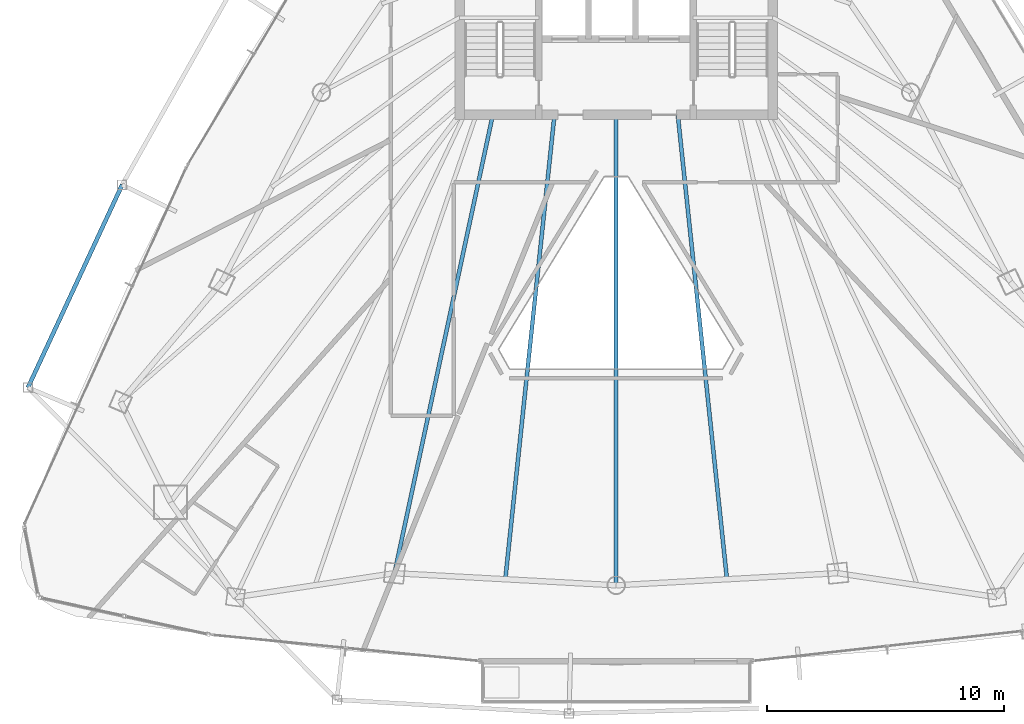
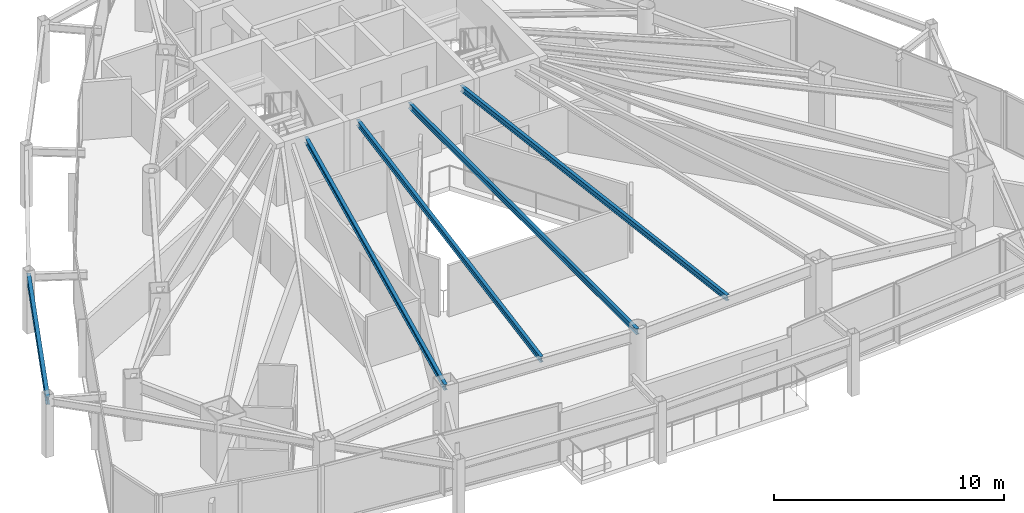
# One storey, part 9 of 31: 5 beams.
"""IFC4 building model written with IfcOpenShell, lengths in metres."""

import ifcopenshell
import ifcopenshell.guid

model = None  # the IFC model being written
_history = None  # IfcOwnerHistory: only IFC2X3 demands one
_inside = {}  # id of a spatial element -> (the spatial element, [elements in it])
_under = {}  # id of a project, library or spatial element -> (it, [spatial elements below it])
_declared = {}  # id of a project -> (the project, [libraries it declares])
_typed = {}  # id of a type object -> (the type object, [elements of that type])
_made_of = {}  # id of a material, layer set ... -> (it, [elements and type objects made of it])


def new_model(schema):
    """Start an empty IFC model of exactly this schema.

    Asked for "IFC4X3", IfcOpenShell would pick the latest addendum, in which some entities
    have other attributes; the version numbers below select the first issue.
    IFC2X3 requires an IfcOwnerHistory on every rooted entity: one is made here for all.
    """
    global model, _history
    if schema == "IFC4X3":
        model = ifcopenshell.file(schema_version=(4, 3, 0, 0))
    else:
        model = ifcopenshell.file(schema=schema)
    _inside.clear()
    _under.clear()
    _declared.clear()
    _typed.clear()
    _made_of.clear()
    _history = None
    if model.schema == "IFC2X3":
        org = make("IfcOrganization", Name="unknown")
        user = make(
            "IfcPersonAndOrganization",
            ThePerson=make("IfcPerson", FamilyName="unknown"),
            TheOrganization=org,
        )
        app = make(
            "IfcApplication",
            ApplicationDeveloper=org,
            Version="unknown",
            ApplicationFullName="unknown",
            ApplicationIdentifier="unknown",
        )
        _history = make(
            "IfcOwnerHistory",
            OwningUser=user,
            OwningApplication=app,
            ChangeAction="ADDED",
            CreationDate=0,
        )
    return model


def make(cls, **values):
    """One entity of the class cls with the attributes given. An attribute that is None is left unset."""
    return model.create_entity(
        cls, **{name: value for name, value in values.items() if value is not None}
    )


def rooted(cls, **values):
    """An entity with a GlobalId (a new one), such as an element, a storey or a relation."""
    return make(cls, GlobalId=ifcopenshell.guid.new(), OwnerHistory=_history, **values)


def si_unit(unit_type, name, prefix=None):
    """IfcSIUnit, for example si_unit("LENGTHUNIT", "METRE", prefix="MILLI")."""
    return make("IfcSIUnit", UnitType=unit_type, Prefix=prefix, Name=name)


def assignment(units):
    """IfcUnitAssignment: the units of a project."""
    return None if units is None else make("IfcUnitAssignment", Units=units)


def point(xyz):
    """IfcCartesianPoint."""
    return None if xyz is None else make("IfcCartesianPoint", Coordinates=xyz)


def direction(xyz):
    """IfcDirection."""
    return None if xyz is None else make("IfcDirection", DirectionRatios=xyz)


def frame(location, z_axis=None, x_axis=None):
    """IfcAxis2Placement3D, a coordinate frame: its origin and axes. An axis left out is left unset."""
    return make(
        "IfcAxis2Placement3D",
        Location=point(location),
        Axis=direction(z_axis),
        RefDirection=direction(x_axis),
    )


def frame_2d(location, x_axis=None):
    """IfcAxis2Placement2D, a coordinate frame in the plane: its origin and x axis."""
    return make(
        "IfcAxis2Placement2D", Location=point(location), RefDirection=direction(x_axis)
    )


def origin():
    """The frame at (0, 0, 0) with its axes left unset."""
    return frame((0.0, 0.0, 0.0))


def origin_2d():
    """The frame at (0, 0) in the plane with its x axis left unset."""
    return frame_2d((0.0, 0.0))


def place(relative_to, where):
    """IfcLocalPlacement: puts the frame where relative to a parent placement (None: the world)."""
    return make(
        "IfcLocalPlacement", PlacementRelTo=relative_to, RelativePlacement=where
    )


def context(
    kind, dimensions, precision=None, world=None, true_north=None, identifier=None
):
    """IfcGeometricRepresentationContext, for example the 3D "Model" context."""
    return make(
        "IfcGeometricRepresentationContext",
        ContextIdentifier=identifier,
        ContextType=kind,
        CoordinateSpaceDimension=dimensions,
        Precision=precision,
        WorldCoordinateSystem=world,
        TrueNorth=true_north,
    )


def subcontext(parent, identifier, kind, view, scale=None):
    """IfcGeometricRepresentationSubContext, for example "Body" below "Model"."""
    return make(
        "IfcGeometricRepresentationSubContext",
        ContextIdentifier=identifier,
        ContextType=kind,
        ParentContext=parent,
        TargetScale=scale,
        TargetView=view,
    )


def project(units=None, contexts=None):
    """IfcProject with its units and contexts."""
    return rooted(
        "IfcProject",
        Name="project",
        RepresentationContexts=contexts,
        UnitsInContext=assignment(units),
    )


def spatial(cls, under=None, at=None, **own):
    """A site, building, storey or space (cls), placed at a placement, below another one or the project."""
    s = rooted(cls, ObjectPlacement=at, **own)
    if under is not None:
        _under.setdefault(under.id(), (under, []))[1].append(s)
    return s


def profile(cls, at=None, kind="AREA", **sizes):
    """A parametric profile (cls). Its sizes go by their IFC names, for example OverallWidth=200.0."""
    return make(cls, ProfileType=kind, Position=at, **sizes)


def i_section(**sizes):
    """IfcIShapeProfileDef."""
    return profile("IfcIShapeProfileDef", **sizes)


def extrude(swept, where, along, depth):
    """IfcExtrudedAreaSolid: the profile swept, set in the frame where, extruded along a direction by depth."""
    return make(
        "IfcExtrudedAreaSolid",
        SweptArea=swept,
        Position=where,
        ExtrudedDirection=direction(along),
        Depth=depth,
    )


def shape(context_of_items, identifier, shape_type, items):
    """IfcShapeRepresentation: the items that make up one representation, for example the "Body"."""
    return make(
        "IfcShapeRepresentation",
        ContextOfItems=context_of_items,
        RepresentationIdentifier=identifier,
        RepresentationType=shape_type,
        Items=items,
    )


def material(Name=None, Category=None):
    """IfcMaterial."""
    return make("IfcMaterial", Name=Name, Category=Category)


def material_profile(
    of_material, cross_section, Name=None, Category=None, Priority=None
):
    """IfcMaterialProfile: a cross section and its material."""
    return make(
        "IfcMaterialProfile",
        Name=Name,
        Material=of_material,
        Profile=cross_section,
        Priority=Priority,
        Category=Category,
    )


def profile_set(profiles, Name=None, composite=None):
    """IfcMaterialProfileSet."""
    return make(
        "IfcMaterialProfileSet",
        Name=Name,
        MaterialProfiles=profiles,
        CompositeProfile=composite,
    )


def made_of(thing, what):
    """Note that an element or type object is made of a material, layer set ...; save() writes the relation."""
    if what is not None:
        _made_of.setdefault(what.id(), (what, []))[1].append(thing)
    return thing


def type_object(cls, material=None, **own):
    """A type object (cls), such as IfcWallType, which elements share."""
    return made_of(rooted(cls, **own), material)


def element(
    cls,
    number,
    at=None,
    inside=None,
    cuts=None,
    type_object=None,
    material=None,
    context=None,
    identifier="Body",
    shape_type=None,
    held_by="IfcProductDefinitionShape",
    body=None,
    shapes=None,
    **own,
):
    """One element of the class cls, such as IfcWall. Its Tag is "e" and its number.

    at: its placement. inside: the storey or other place that contains it. cuts: it is an
    opening in that element (IfcRelVoidsElement). A single representation is given by context,
    identifier, shape_type and body (its items); several are given by shapes. held_by: the class
    of the entity that holds the representations. save() writes the other relations.
    """
    e = rooted(cls, Tag="e%d" % number, ObjectPlacement=at, **own)
    if body is not None:
        shapes = [shape(context, identifier, shape_type, body)]
    if shapes is not None:
        e.Representation = make(held_by, Representations=shapes)
    if inside is not None:
        _inside.setdefault(inside.id(), (inside, []))[1].append(e)
    if cuts is not None:
        rooted(
            "IfcRelVoidsElement", RelatingBuildingElement=cuts, RelatedOpeningElement=e
        )
    if type_object is not None:
        _typed.setdefault(type_object.id(), (type_object, []))[1].append(e)
    return made_of(e, material)


def aggregate(whole, parts):
    """IfcRelAggregates: a whole, such as a stair, and the parts it consists of."""
    return rooted("IfcRelAggregates", RelatingObject=whole, RelatedObjects=parts)


def save(model, path):
    """Write the relations noted so far, then the file.

    IfcRelAggregates (storeys below a building ...), IfcRelContainedInSpatialStructure (elements
    in a storey), IfcRelDefinesByType, IfcRelAssociatesMaterial and IfcRelDeclares: one each for
    every whole, place, type object, material and project.
    """
    for whole, parts in _under.values():
        aggregate(whole, parts)
    for where, things in _inside.values():
        rooted(
            "IfcRelContainedInSpatialStructure",
            RelatedElements=things,
            RelatingStructure=where,
        )
    for kind, things in _typed.values():
        rooted("IfcRelDefinesByType", RelatedObjects=things, RelatingType=kind)
    for what, things in _made_of.values():
        rooted("IfcRelAssociatesMaterial", RelatedObjects=things, RelatingMaterial=what)
    for by, libraries in _declared.values():
        rooted("IfcRelDeclares", RelatingContext=by, RelatedDefinitions=libraries)
    model.write(path)


model = new_model("IFC4")

# Units and contexts
model_context = context("Model", 3, precision=1e-05, world=origin(), true_north=direction((0.0, 1.0)))
body_context = subcontext(model_context, "Body", "Model", "MODEL_VIEW")
ifc_project = project(units=[si_unit("LENGTHUNIT", "METRE"), si_unit("AREAUNIT", "SQUARE_METRE"), si_unit("VOLUMEUNIT", "CUBIC_METRE"), si_unit("PLANEANGLEUNIT", "RADIAN"), si_unit("MASSUNIT", "GRAM", prefix="KILO")], contexts=[model_context])

# Site, building, storey
site_placement = place(None, origin())
site = spatial("IfcSite", under=ifc_project, at=site_placement, CompositionType="ELEMENT")
building_placement = place(site_placement, origin())
building = spatial("IfcBuilding", under=site, at=building_placement, Name="Orvanel Arch Residences", CompositionType="ELEMENT")
storey_placement = place(building_placement, frame((0.0, 0.0, 153.949951171875)))
storey = spatial("IfcBuildingStorey", under=building, at=storey_placement, Name="L43", CompositionType="ELEMENT", Elevation=153.949951171875)

# Beams
ifc_material = material(Name="Structural steel AS/NZS 3679.1 Grade 300 (300 MPa)", Category="steel")
ifc_material_profile_1 = material_profile(ifc_material, i_section(OverallWidth=0.1650390625, OverallDepth=0.303955078125, WebThickness=0.006103515625, FlangeThickness=0.01025390625, at=origin_2d()), Name="310UB40.4")
ifc_profile_set_1 = profile_set([ifc_material_profile_1], Name="Structural steel AS/NZS 3679.1 Grade 300 (300 MPa)")
beam_type_1 = type_object("IfcBeamType", Name="BJ-310UB", PredefinedType="JOIST", material=ifc_profile_set_1)
beam_1_placement = place(storey_placement, frame((27.800048828125, 26.699951171875, 2.907958984375), z_axis=(-0.209808012425, -0.977742603103, 0.0), x_axis=(0.977742603103, -0.209808012425, 0.0)))
element("IfcBeam", 1, at=beam_1_placement, inside=storey, type_object=beam_type_1, Name="L43 SW Wing Floor Joist", PredefinedType="JOIST", context=body_context, shape_type="SweptSolid", body=[
    extrude(i_section(OverallWidth=0.1650390625, OverallDepth=0.303955078125, WebThickness=0.006103515625, FlangeThickness=0.01025390625, at=origin_2d()), origin(), (0.0, 0.0, 1.0), 19.785400390625),
])
beam_2_placement = place(storey_placement, frame((33.0, 26.699951171875, 2.907958984375), z_axis=(0.0, -1.0, 0.0), x_axis=(1.0, 0.0, 0.0)))
element("IfcBeam", 2, at=beam_2_placement, inside=storey, type_object=beam_type_1, Name="L43 SSW Wing Floor Joist", PredefinedType="JOIST", context=body_context, shape_type="SweptSolid", body=[
    extrude(i_section(OverallWidth=0.1650390625, OverallDepth=0.303955078125, WebThickness=0.006103515625, FlangeThickness=0.01025390625, at=origin_2d()), origin(), (0.0, 0.0, 1.0), 19.85595703125),
])
for number, where, z_axis, x_axis, name in (
    (3, (30.39990234375, 26.699951171875, 2.907958984375), (-0.105277340935, -0.994442900063, 0.0), (0.994442900063, -0.105277340935, 0.0), "L43 WSW2 Wing Floor Joist"),
    (4, (35.60009765625, 26.699951171875, 2.907958984375), (0.105277340935, -0.994442900063, 0.0), (0.994442900063, 0.105277340935, 0.0), "L43 ESE2 Wing Floor Joist"),
):
    element("IfcBeam", number, at=place(storey_placement, frame(where, z_axis=z_axis, x_axis=x_axis)), inside=storey, type_object=beam_type_1, Name=name, PredefinedType="JOIST", context=body_context, shape_type="SweptSolid", body=[
        extrude(i_section(OverallWidth=0.1650390625, OverallDepth=0.303955078125, WebThickness=0.006103515625, FlangeThickness=0.01025390625, at=origin_2d()), origin(), (0.0, 0.0, 1.0), 19.70947265625),
    ])
ifc_material_profile_2 = material_profile(ifc_material, i_section(OverallWidth=0.177978515625, OverallDepth=0.406005859375, WebThickness=0.0078125, FlangeThickness=0.0126953125, at=origin_2d()), Name="410UB59.7")
ifc_profile_set_2 = profile_set([ifc_material_profile_2], Name="Structural steel AS/NZS 3679.1 Grade 300 (300 MPa)")
beam_type_2 = type_object("IfcBeamType", Name="OB-410UB-EXT", PredefinedType="SPANDREL", material=ifc_profile_set_2)
beam_3_placement = place(storey_placement, frame((12.159912109375, 23.738037109375, 2.85693359375), z_axis=(-0.421274831132, -0.906933027657, 0.0), x_axis=(0.906933027657, -0.421274831132, 0.0)))
element("IfcBeam", 5, at=beam_3_placement, inside=storey, type_object=beam_type_2, Name="L43 Outer Perimeter Floor Ring Beam 03", PredefinedType="SPANDREL", context=body_context, shape_type="SweptSolid", body=[
    extrude(i_section(OverallWidth=0.177978515625, OverallDepth=0.406005859375, WebThickness=0.0078125, FlangeThickness=0.0126953125, at=origin_2d()), origin(), (0.0, 0.0, 1.0), 9.4306640625),
])

save(model, "model.ifc")
